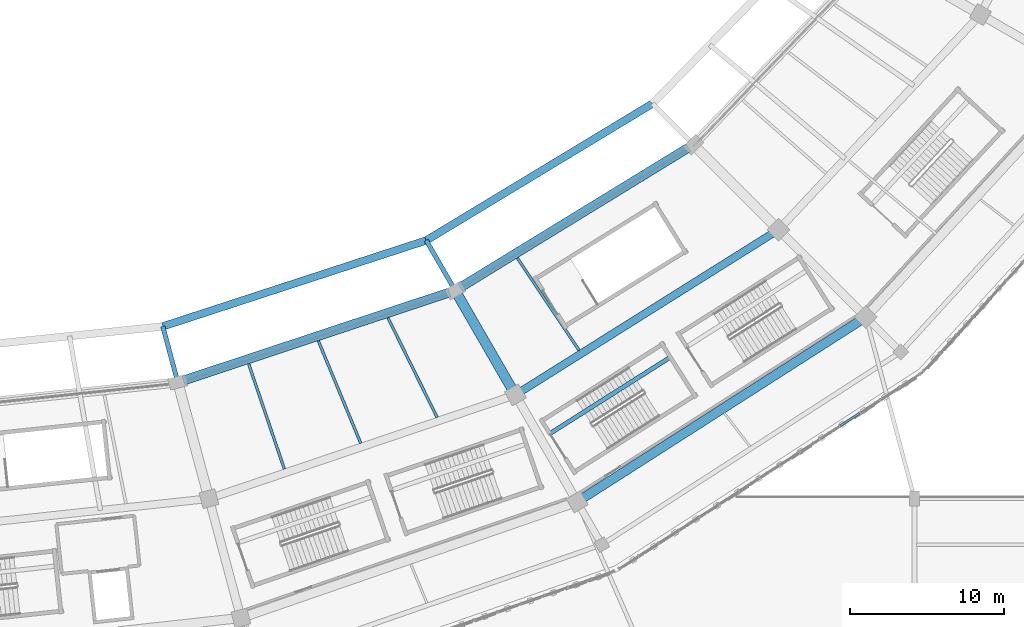
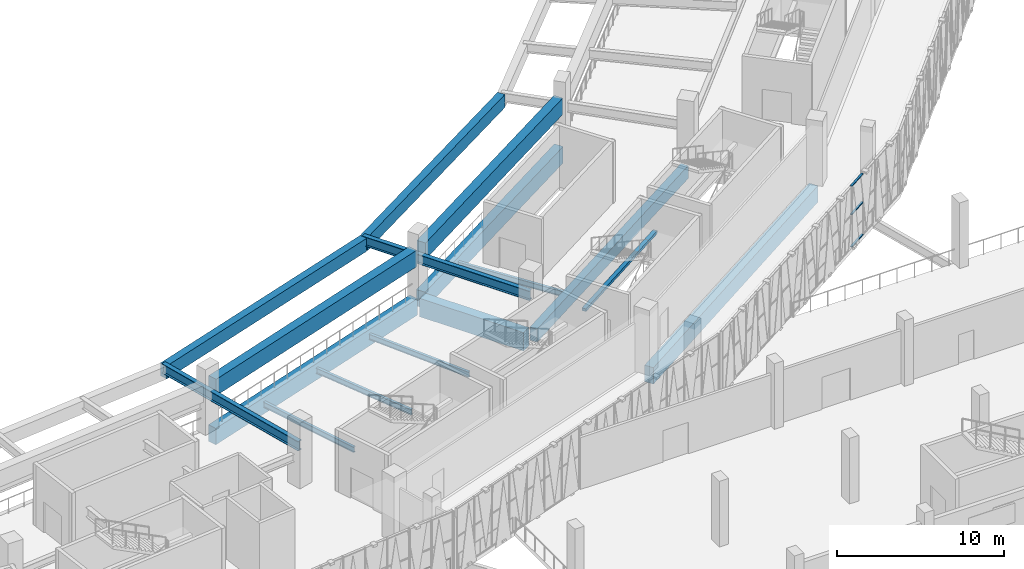
# One storey, part 32 of 179: 16 beams, 3 members, 1 element without a shape of its own.
"""IFC4 building model written with IfcOpenShell, lengths in metres."""

from ifc_helpers import new_model, si_unit, direction, frame, origin, origin_2d, place, context, subcontext, project, spatial, rectangle, i_section, extrude, material, material_profile, profile_set, type_object, element, aggregate, save


model = new_model("IFC4")

# Units and contexts
model_context = context("Model", 3, precision=1e-05, world=origin(), true_north=direction((0.0, 1.0)))
body_context = subcontext(model_context, "Body", "Model", "MODEL_VIEW")
ifc_project = project(units=[si_unit("LENGTHUNIT", "METRE"), si_unit("AREAUNIT", "SQUARE_METRE"), si_unit("VOLUMEUNIT", "CUBIC_METRE"), si_unit("PLANEANGLEUNIT", "RADIAN"), si_unit("MASSUNIT", "GRAM", prefix="KILO")], contexts=[model_context])

# Site, building, storey
site_placement = place(None, origin())
site = spatial("IfcSite", under=ifc_project, at=site_placement, CompositionType="ELEMENT")
building_placement = place(site_placement, origin())
building = spatial("IfcBuilding", under=site, at=building_placement, Name="Zevraka Park Crest Stadium", CompositionType="ELEMENT")
storey_placement = place(building_placement, frame((0.0, 0.0, 10.199951171875)))
storey = spatial("IfcBuildingStorey", under=building, at=storey_placement, Name="L02", CompositionType="ELEMENT", Elevation=10.199951171875)

# Beams
ifc_material_1 = material(Name="Concrete C40/50", Category="concrete")
ifc_material_profile_1 = material_profile(ifc_material_1, rectangle(XDim=0.64990234375, YDim=1.35009765625, at=origin_2d()), Name="RC 1350x650")
ifc_profile_set_1 = profile_set([ifc_material_profile_1], Name="Concrete C40/50")
beam_type_1 = type_object("IfcBeamType", Name="BG01", PredefinedType="BEAM", material=ifc_profile_set_1)
beam_1_placement = place(storey_placement, frame((149.39990234375, 40.2109375, -0.68505859375), z_axis=(0.500041424909, -0.866001485781, 0.0), x_axis=(0.866001485781, 0.500041424909, 0.0)))
element("IfcBeam", 1, at=beam_1_placement, inside=storey, type_object=beam_type_1, Name="Radial Girder BG01 L02-BC-20", PredefinedType="BEAM", context=body_context, shape_type="SweptSolid", body=[
    extrude(rectangle(XDim=0.64990234375, YDim=1.35009765625, at=origin_2d()), origin(), (0.0, 0.0, 1.0), 7.19970703125),
])
ifc_material_2 = material(Name="Steel S355", Category="steel")
ifc_material_profile_2 = material_profile(ifc_material_2, i_section(OverallWidth=0.300048828125, OverallDepth=0.699951171875, WebThickness=0.01708984375, FlangeThickness=0.031982421875, at=origin_2d()), Name="HEB 700")
ifc_profile_set_2 = profile_set([ifc_material_profile_2], Name="Steel S355")
beam_type_2 = type_object("IfcBeamType", Name="BG06", PredefinedType="BEAM", material=ifc_profile_set_2)
beam_2_placement = place(storey_placement, frame((133.301025390625, 26.992919921875, 2.670166015625), z_axis=(-0.258858286006, 0.965915310866, 0.0), x_axis=(-0.965915310866, -0.258858286006, 0.0)))
element("IfcBeam", 2, at=beam_2_placement, inside=storey, type_object=beam_type_2, Name="Upper Tier Back-Spanned Cantilever Girder BG06 19", PredefinedType="BEAM", context=body_context, shape_type="SweptSolid", body=[
    extrude(i_section(OverallWidth=0.300048828125, OverallDepth=0.699951171875, WebThickness=0.01708984375, FlangeThickness=0.031982421875, at=origin_2d()), origin(), (0.0, 0.0, 1.0), 11.55078125),
])
beam_3_placement = place(storey_placement, frame((153.14990234375, 33.716064453125, 2.670166015625), z_axis=(-0.499981051965, 0.866036343161, 0.0), x_axis=(-0.866036343161, -0.499981051965, 0.0)))
element("IfcBeam", 3, at=beam_3_placement, inside=storey, type_object=beam_type_2, Name="Upper Tier Back-Spanned Cantilever Girder BG06 20", PredefinedType="BEAM", context=body_context, shape_type="SweptSolid", body=[
    extrude(i_section(OverallWidth=0.300048828125, OverallDepth=0.699951171875, WebThickness=0.01708984375, FlangeThickness=0.031982421875, at=origin_2d()), origin(), (0.0, 0.0, 1.0), 11.55029296875),
])

# Curtain wall, members
ifc_material_3 = material(Name="Anodised architectural aluminium and laminated safety glass", Category="aluminium")
curtain_wall_type = type_object("IfcCurtainWallType", Name="CW08", PredefinedType="NOTDEFINED", material=ifc_material_3)
curtain_wall_placement = place(storey_placement, origin())
curtain_wall = element("IfcCurtainWall", 4, at=curtain_wall_placement, inside=storey, type_object=curtain_wall_type, Name="Unitised Ring Curtain Wall CW08 L02-20", PredefinedType="NOTDEFINED")
ifc_material_4 = material(Name="Anodised architectural aluminium", Category="aluminium")
ifc_material_profile_3 = material_profile(ifc_material_4, rectangle(XDim=0.139892578125, YDim=0.06494140625, at=origin_2d()), Name="ALU TRANSOM 140x65")
ifc_profile_set_3 = profile_set([ifc_material_profile_3], Name="Anodised architectural aluminium")
member_type = type_object("IfcMemberType", Name="CT02", PredefinedType="USERDEFINED", material=ifc_profile_set_3)
member_1_placement = place(storey_placement, frame((174.18359375, 31.7158203125, 0.032470703125), z_axis=(0.839675885301, 0.543087845236, 0.0), x_axis=(-0.543087845236, 0.839675885301, 0.0)))
member_1 = element("IfcMember", 5, at=member_1_placement, type_object=member_type, Name="CW08 transom 12.1", ObjectType="TRANSOM", PredefinedType="USERDEFINED", context=body_context, shape_type="SweptSolid", body=[
    extrude(rectangle(XDim=0.139892578125, YDim=0.06494140625, at=origin_2d()), origin(), (0.0, 0.0, 1.0), 1.486572265625),
])
member_2_placement = place(storey_placement, frame((174.18359375, 31.7158203125, 2.400146484375), z_axis=(0.839675885301, 0.543087845236, 0.0), x_axis=(-0.543087845236, 0.839675885301, 0.0)))
member_2 = element("IfcMember", 6, at=member_2_placement, type_object=member_type, Name="CW08 transom 12.2", ObjectType="TRANSOM", PredefinedType="USERDEFINED", context=body_context, shape_type="SweptSolid", body=[
    extrude(rectangle(XDim=0.139892578125, YDim=0.06494140625, at=origin_2d()), origin(), (0.0, 0.0, 1.0), 1.486572265625),
])
member_3_placement = place(storey_placement, frame((174.18359375, 31.7158203125, 4.467529296875), z_axis=(0.839675885301, 0.543087845236, 0.0), x_axis=(-0.543087845236, 0.839675885301, 0.0)))
member_3 = element("IfcMember", 7, at=member_3_placement, type_object=member_type, Name="CW08 transom 12.3", ObjectType="TRANSOM", PredefinedType="USERDEFINED", context=body_context, shape_type="SweptSolid", body=[
    extrude(rectangle(XDim=0.139892578125, YDim=0.06494140625, at=origin_2d()), origin(), (0.0, 0.0, 1.0), 1.486572265625),
])
aggregate(curtain_wall, [member_1, member_2, member_3])

# Beams
ifc_material_5 = material(Name="Concrete C40/50", Category="concrete")
ifc_material_profile_4 = material_profile(ifc_material_5, rectangle(XDim=0.60009765625, YDim=1.199951171875, at=origin_2d()), Name="RC 1200x600")
ifc_profile_set_4 = profile_set([ifc_material_profile_4], Name="Concrete C40/50")
beam_type_3 = type_object("IfcBeamType", Name="RB01", PredefinedType="BEAM", material=ifc_profile_set_4)
beam_4_placement = place(storey_placement, frame((131.64306640625, 34.64599609375, -0.60986328125), z_axis=(0.949383863235, 0.314118258349, 0.0), x_axis=(-0.314118258349, 0.949383863235, 0.0)))
element("IfcBeam", 8, at=beam_4_placement, inside=storey, type_object=beam_type_3, Name="Ring Beam RB01 L02-B-19", PredefinedType="BEAM", context=body_context, shape_type="SweptSolid", body=[
    extrude(rectangle(XDim=0.60009765625, YDim=1.199951171875, at=origin_2d()), origin(), (0.0, 0.0, 1.0), 18.165283203125),
])
beam_5_placement = place(storey_placement, frame((149.573974609375, 40.669921875, -0.60986328125), z_axis=(0.852632623571, 0.522510869956, 0.0), x_axis=(-0.522510869956, 0.852632623571, 0.0)))
element("IfcBeam", 9, at=beam_5_placement, inside=storey, type_object=beam_type_3, Name="Ring Beam RB01 L02-B-20", PredefinedType="BEAM", context=body_context, shape_type="SweptSolid", body=[
    extrude(rectangle(XDim=0.60009765625, YDim=1.199951171875, at=origin_2d()), origin(), (0.0, 0.0, 1.0), 17.335693359375),
])
beam_6_placement = place(storey_placement, frame((157.469970703125, 26.992919921875, -0.60986328125), z_axis=(0.842325571453, 0.538969045193, 0.0), x_axis=(-0.538969045193, 0.842325571453, 0.0)))
element("IfcBeam", 10, at=beam_6_placement, inside=storey, type_object=beam_type_3, Name="Ring Beam RB01 L02-D-20", PredefinedType="BEAM", context=body_context, shape_type="SweptSolid", body=[
    extrude(rectangle(XDim=0.60009765625, YDim=1.199951171875, at=origin_2d()), origin(), (0.0, 0.0, 1.0), 21.443115234375),
])
beam_7_placement = place(storey_placement, frame((131.680908203125, 34.658935546875, 2.965087890625), z_axis=(0.949397677667, 0.314076502845, 0.0), x_axis=(-0.314076502845, 0.949397677667, 0.0)))
element("IfcBeam", 11, at=beam_7_placement, inside=storey, type_object=beam_type_3, Name="Upper Tier Fulcrum Raker Ring Beam RB01 19", PredefinedType="BEAM", context=body_context, shape_type="SweptSolid", body=[
    extrude(rectangle(XDim=0.60009765625, YDim=1.199951171875, at=origin_2d()), origin(), (0.0, 0.0, 1.0), 18.085205078125),
])
beam_8_placement = place(storey_placement, frame((149.60791015625, 40.68994140625, 2.965087890625), z_axis=(0.852592509161, 0.522576322964, 0.0), x_axis=(-0.522576322964, 0.852592509161, 0.0)))
element("IfcBeam", 12, at=beam_8_placement, inside=storey, type_object=beam_type_3, Name="Upper Tier Fulcrum Raker Ring Beam RB01 20", PredefinedType="BEAM", context=body_context, shape_type="SweptSolid", body=[
    extrude(rectangle(XDim=0.60009765625, YDim=1.199951171875, at=origin_2d()), origin(), (0.0, 0.0, 1.0), 17.2568359375),
])
ifc_material_6 = material(Name="Concrete C40/50", Category="concrete")
ifc_material_profile_5 = material_profile(ifc_material_6, rectangle(XDim=0.5, YDim=0.949951171875, at=origin_2d()), Name="RC 950x500")
ifc_profile_set_5 = profile_set([ifc_material_profile_5], Name="Concrete C40/50")
beam_type_4 = type_object("IfcBeamType", Name="RB02", PredefinedType="BEAM", material=ifc_profile_set_5)
beam_9_placement = place(storey_placement, frame((153.471923828125, 33.91796875, -0.48486328125), z_axis=(0.847038516183, 0.531531515625, 0.0), x_axis=(-0.531531515625, 0.847038516183, 0.0)))
element("IfcBeam", 13, at=beam_9_placement, inside=storey, type_object=beam_type_4, Name="Ring Beam RB02 L02-C-20", PredefinedType="BEAM", context=body_context, shape_type="SweptSolid", body=[
    extrude(rectangle(XDim=0.5, YDim=0.949951171875, at=origin_2d()), origin(), (0.0, 0.0, 1.0), 19.36279296875),
])
beam_10_placement = place(storey_placement, frame((130.321044921875, 38.153076171875, 2.400146484375), z_axis=(0.950644645156, 0.31028174074, 0.0), x_axis=(-0.31028174074, 0.950644645156, 0.0)))
element("IfcBeam", 14, at=beam_10_placement, inside=storey, type_object=beam_type_4, Name="Upper Tier Front Nose Ring Beam RB02 19", PredefinedType="BEAM", context=body_context, shape_type="SweptSolid", body=[
    extrude(rectangle(XDim=0.5, YDim=0.949951171875, at=origin_2d()), origin(), (0.0, 0.0, 1.0), 17.9287109375),
])
beam_11_placement = place(storey_placement, frame((147.384033203125, 43.72412109375, 2.400146484375), z_axis=(0.85571184536, 0.517452642964, 0.0), x_axis=(-0.517452642964, 0.85571184536, 0.0)))
element("IfcBeam", 15, at=beam_11_placement, inside=storey, type_object=beam_type_4, Name="Upper Tier Front Nose Ring Beam RB02 20", PredefinedType="BEAM", context=body_context, shape_type="SweptSolid", body=[
    extrude(rectangle(XDim=0.5, YDim=0.949951171875, at=origin_2d()), origin(), (0.0, 0.0, 1.0), 17.102783203125),
])
ifc_material_7 = material(Name="Steel S355", Category="steel")
ifc_material_profile_6 = material_profile(ifc_material_7, i_section(OverallWidth=0.179931640625, OverallDepth=0.39990234375, WebThickness=0.008544921875, FlangeThickness=0.013427734375, at=origin_2d()), Name="IPE 400")
ifc_profile_set_6 = profile_set([ifc_material_profile_6], Name="Steel S355")
beam_type_5 = type_object("IfcBeamType", Name="SJ09", PredefinedType="JOIST", material=ifc_profile_set_6)
beam_12_placement = place(storey_placement, frame((135.875, 35.715087890625, -0.488037109375), z_axis=(0.321275682742, -0.946985710388, 0.0), x_axis=(0.946985710388, 0.321275682742, 0.0)))
element("IfcBeam", 16, at=beam_12_placement, inside=storey, type_object=beam_type_5, Name="Floor Joist SJ09 L02-BC-19-1", PredefinedType="JOIST", context=body_context, shape_type="SweptSolid", body=[
    extrude(i_section(OverallWidth=0.179931640625, OverallDepth=0.39990234375, WebThickness=0.008544921875, FlangeThickness=0.013427734375, at=origin_2d()), origin(), (0.0, 0.0, 1.0), 7.190185546875),
])
beam_13_placement = place(storey_placement, frame((140.386962890625, 37.2080078125, -0.488037109375), z_axis=(0.382700487371, -0.923872467912, 0.0), x_axis=(0.923872467912, 0.382700487371, 0.0)))
element("IfcBeam", 17, at=beam_13_placement, inside=storey, type_object=beam_type_5, Name="Floor Joist SJ09 L02-BC-19-2", PredefinedType="JOIST", context=body_context, shape_type="SweptSolid", body=[
    extrude(i_section(OverallWidth=0.179931640625, OverallDepth=0.39990234375, WebThickness=0.008544921875, FlangeThickness=0.013427734375, at=origin_2d()), origin(), (0.0, 0.0, 1.0), 7.173095703125),
])
beam_14_placement = place(storey_placement, frame((144.89697265625, 38.702880859375, -0.488037109375), z_axis=(0.442549118131, -0.896744265686, 0.0), x_axis=(0.896744265686, 0.442549118131, 0.0)))
element("IfcBeam", 18, at=beam_14_placement, inside=storey, type_object=beam_type_5, Name="Floor Joist SJ09 L02-BC-19-3", PredefinedType="JOIST", context=body_context, shape_type="SweptSolid", body=[
    extrude(i_section(OverallWidth=0.179931640625, OverallDepth=0.39990234375, WebThickness=0.008544921875, FlangeThickness=0.013427734375, at=origin_2d()), origin(), (0.0, 0.0, 1.0), 7.1904296875),
])
beam_15_placement = place(storey_placement, frame((153.281982421875, 42.572998046875, -0.488037109375), z_axis=(0.555366097338, -0.831605975164, 0.0), x_axis=(0.831605975164, 0.555366097338, 0.0)))
element("IfcBeam", 19, at=beam_15_placement, inside=storey, type_object=beam_type_5, Name="Floor Joist SJ09 L02-BC-20-1", PredefinedType="JOIST", context=body_context, shape_type="SweptSolid", body=[
    extrude(i_section(OverallWidth=0.179931640625, OverallDepth=0.39990234375, WebThickness=0.008544921875, FlangeThickness=0.013427734375, at=origin_2d()), origin(), (0.0, 0.0, 1.0), 7.189697265625),
])
ifc_material_8 = material(Name="Concrete C40/50", Category="concrete")
ifc_material_profile_7 = material_profile(ifc_material_8, rectangle(XDim=0.280029296875, YDim=0.199951171875, at=origin_2d()), Name="RC 200x280")
ifc_profile_set_7 = profile_set([ifc_material_profile_7], Name="Concrete C40/50")
beam_type_6 = type_object("IfcBeamType", Name="SJ13", PredefinedType="JOIST", material=ifc_profile_set_7)
beam_16_placement = place(storey_placement, frame((155.404296875, 31.219482421875, 2.300048828125), z_axis=(0.844404041367, 0.535706836734, 0.0), x_axis=(-0.535706836734, 0.844404041367, 0.0)))
element("IfcBeam", 20, at=beam_16_placement, inside=storey, type_object=beam_type_6, Name="Stair Upper-Flight Longitudinal Stringer SJ13 ST21-L02", PredefinedType="JOIST", context=body_context, shape_type="SweptSolid", body=[
    extrude(rectangle(XDim=0.280029296875, YDim=0.199951171875, at=origin_2d()), origin(), (0.0, 0.0, 1.0), 9.25),
])

save(model, "model.ifc")
